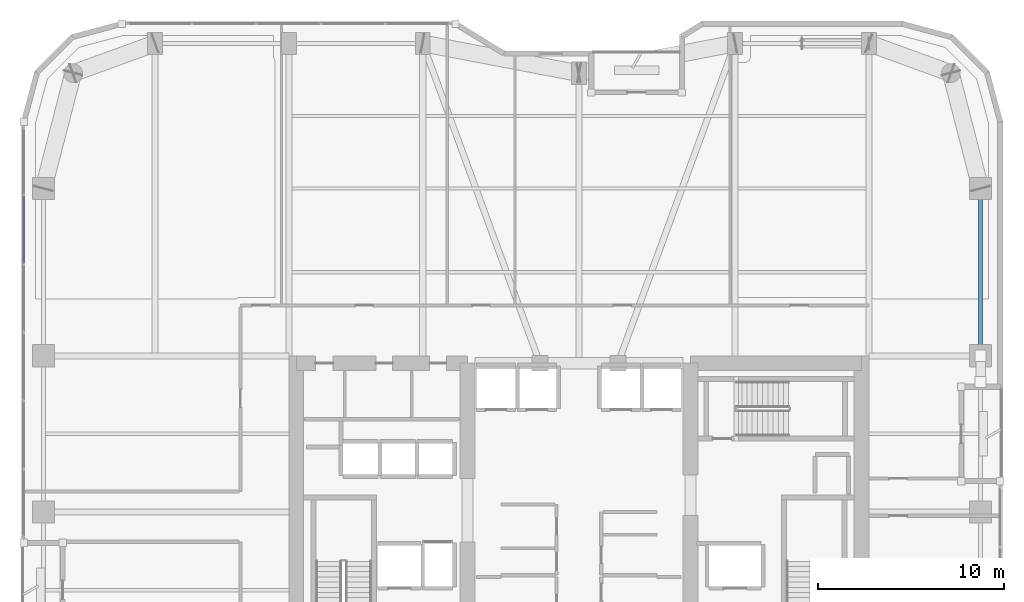
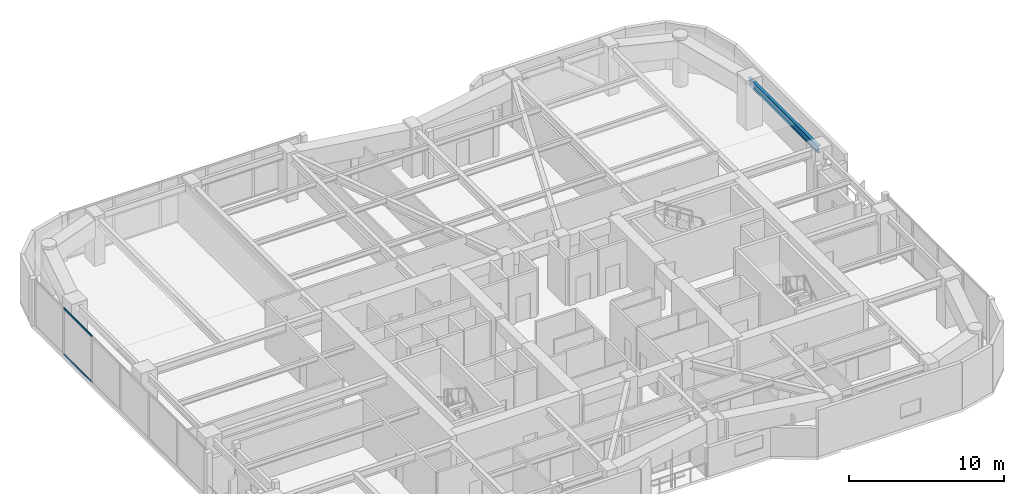
# One storey, part 12 of 30: 2 members, 1 beam, 1 element without a shape of its own.
"""IFC4 building model written with IfcOpenShell, lengths in metres."""

from ifc_helpers import new_model, si_unit, direction, frame, origin, origin_2d, place, context, subcontext, project, spatial, hollow_rectangle, i_section, extrude, material, layer, layer_set, material_profile, profile_set, type_object, element, aggregate, save


model = new_model("IFC4")

# Units and contexts
model_context = context("Model", 3, precision=1e-05, world=origin(), true_north=direction((0.0, 1.0)))
body_context = subcontext(model_context, "Body", "Model", "MODEL_VIEW")
ifc_project = project(units=[si_unit("LENGTHUNIT", "METRE"), si_unit("AREAUNIT", "SQUARE_METRE"), si_unit("VOLUMEUNIT", "CUBIC_METRE"), si_unit("PLANEANGLEUNIT", "RADIAN"), si_unit("MASSUNIT", "GRAM", prefix="KILO")], contexts=[model_context])

# Site, building, storey
site_placement = place(None, origin())
site = spatial("IfcSite", under=ifc_project, at=site_placement, CompositionType="ELEMENT")
building_placement = place(site_placement, origin())
building = spatial("IfcBuilding", under=site, at=building_placement, Name="Kiyonajd Concourse Tower", CompositionType="ELEMENT")
storey_placement = place(building_placement, frame((0.0, 0.0, 170.10009765625)))
storey = spatial("IfcBuildingStorey", under=building, at=storey_placement, Name="L43", CompositionType="ELEMENT", Elevation=170.10009765625)

# Beam
ifc_material_1 = material(Name="Steel ASTM A992 Grade 50", Category="steel")
ifc_material_profile_1 = material_profile(ifc_material_1, i_section(OverallWidth=0.214111328125, OverallDepth=0.549072265625, WebThickness=0.0146484375, FlangeThickness=0.023681640625, at=origin_2d()), Name="W530X138")
ifc_profile_set_1 = profile_set([ifc_material_profile_1], Name="Steel ASTM A992 Grade 50")
beam_type = type_object("IfcBeamType", Name="BM-SPAN-530A", PredefinedType="SPANDREL", material=ifc_profile_set_1)
beam_placement = place(storey_placement, frame((69.60009765625, 44.39990234375, 3.405517578125), z_axis=(0.0, 1.0, 0.0), x_axis=(-1.0, 0.0, 0.0)))
element("IfcBeam", 1, at=beam_placement, inside=storey, type_object=beam_type, Name="L43 Perimeter Bundled Tube Spandrel", PredefinedType="SPANDREL", context=body_context, shape_type="SweptSolid", body=[
    extrude(i_section(OverallWidth=0.214111328125, OverallDepth=0.549072265625, WebThickness=0.0146484375, FlangeThickness=0.023681640625, at=origin_2d()), origin(), (0.0, 0.0, 1.0), 9.0),
])

# Curtain wall, members
ifc_material_2 = material(Name="Thermally Broken Anodised Aluminium", Category="aluminium")
ifc_layer = layer(ifc_material_2, 0.179931640625)
ifc_layer_set = layer_set([ifc_layer], Name="Thermally Broken Anodised Aluminium")
curtain_wall_type = type_object("IfcCurtainWallType", Name="CW-SYS-03", PredefinedType="NOTDEFINED", material=ifc_layer_set)
curtain_wall_placement = place(storey_placement, origin())
curtain_wall = element("IfcCurtainWall", 2, at=curtain_wall_placement, inside=storey, type_object=curtain_wall_type, Name="L43 Unitised Curtain Wall CW3", PredefinedType="NOTDEFINED")
ifc_material_profile_2 = material_profile(ifc_material_2, hollow_rectangle(XDim=0.06494140625, YDim=0.139892578125, WallThickness=0.00390625, at=origin_2d()), Name="TRAN-65x140")
ifc_profile_set_2 = profile_set([ifc_material_profile_2], Name="Thermally Broken Anodised Aluminium")
member_type = type_object("IfcMemberType", Name="MB-CW-TRAN1", PredefinedType="USERDEFINED", material=ifc_profile_set_2)
member_1_placement = place(storey_placement, frame((18.139892578125, 49.3701171875, 0.032470703125), z_axis=(0.0, 1.0, 0.0), x_axis=(-1.0, 0.0, 0.0)))
member_1 = element("IfcMember", 3, at=member_1_placement, type_object=member_type, Name="CW3 transom 5.1", ObjectType="TRANSOM", PredefinedType="USERDEFINED", context=body_context, shape_type="SweptSolid", body=[
    extrude(hollow_rectangle(XDim=0.06494140625, YDim=0.139892578125, WallThickness=0.00390625, at=origin_2d()), origin(), (0.0, 0.0, 1.0), 3.612060546875),
])
member_2_placement = place(storey_placement, frame((18.139892578125, 49.3701171875, 3.6474609375), z_axis=(0.0, 1.0, 0.0), x_axis=(-1.0, 0.0, 0.0)))
member_2 = element("IfcMember", 4, at=member_2_placement, type_object=member_type, Name="CW3 transom 5.2", ObjectType="TRANSOM", PredefinedType="USERDEFINED", context=body_context, shape_type="SweptSolid", body=[
    extrude(hollow_rectangle(XDim=0.06494140625, YDim=0.139892578125, WallThickness=0.00390625, at=origin_2d()), origin(), (0.0, 0.0, 1.0), 3.612060546875),
])
aggregate(curtain_wall, [member_1, member_2])

save(model, "model.ifc")
